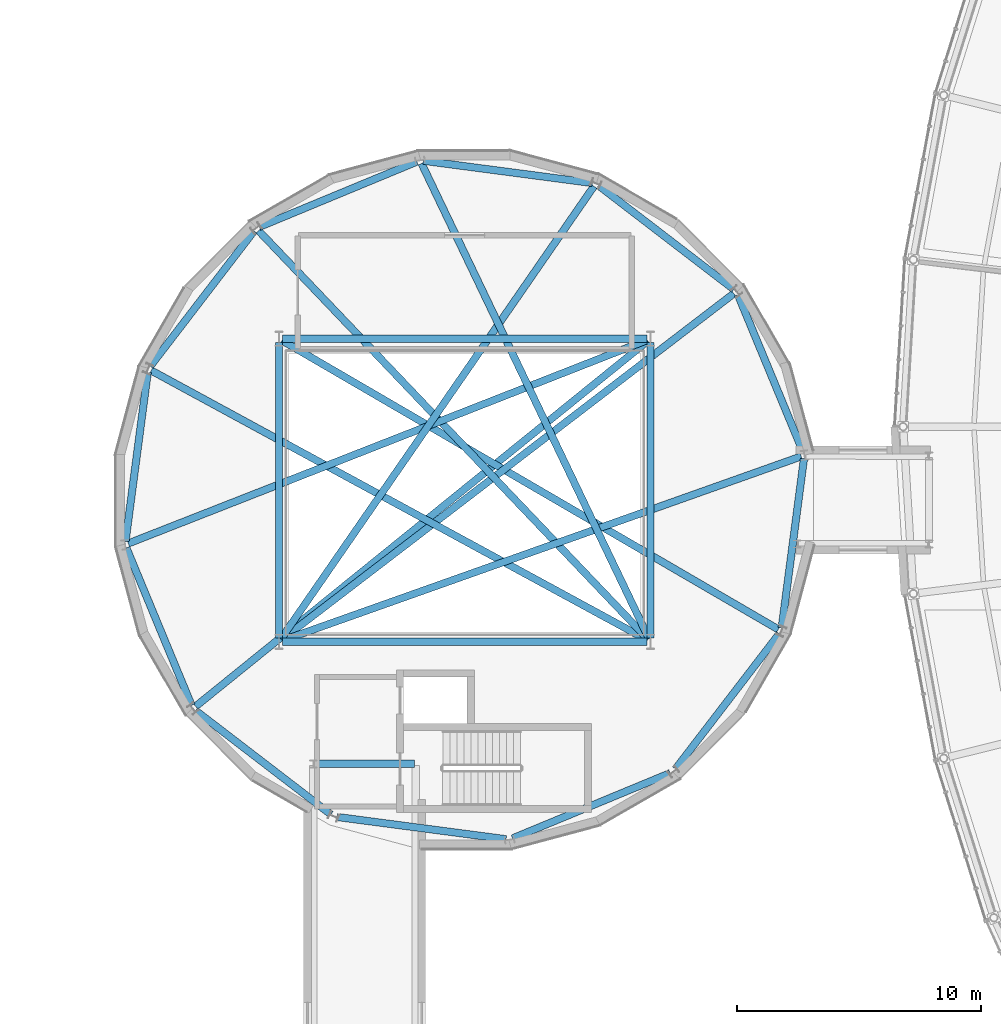
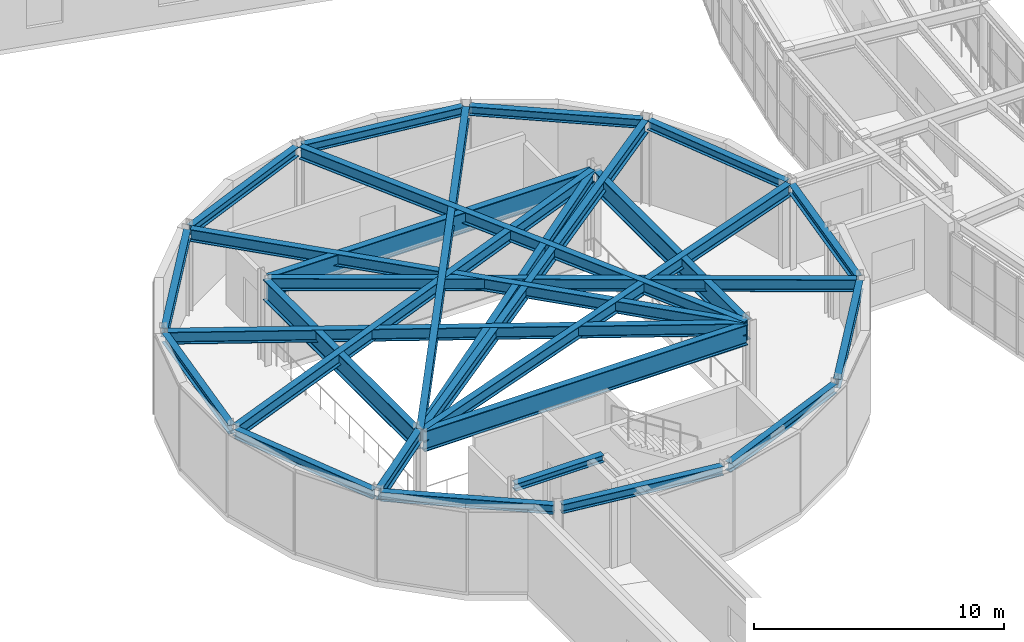
# One storey, part 21 of 103: 26 beams.
"""IFC4 building model written with IfcOpenShell, lengths in metres."""

from ifc_helpers import new_model, si_unit, direction, frame, origin, origin_2d, place, context, subcontext, project, spatial, i_section, extrude, material, material_profile, profile_set, type_object, element, save


model = new_model("IFC4")

# Units and contexts
model_context = context("Model", 3, precision=1e-05, world=origin(), true_north=direction((0.0, 1.0)))
body_context = subcontext(model_context, "Body", "Model", "MODEL_VIEW")
ifc_project = project(units=[si_unit("LENGTHUNIT", "METRE"), si_unit("AREAUNIT", "SQUARE_METRE"), si_unit("VOLUMEUNIT", "CUBIC_METRE"), si_unit("PLANEANGLEUNIT", "RADIAN"), si_unit("MASSUNIT", "GRAM", prefix="KILO")], contexts=[model_context])

# Site, building, storey
site_placement = place(None, origin())
site = spatial("IfcSite", under=ifc_project, at=site_placement, CompositionType="ELEMENT")
building_placement = place(site_placement, origin())
building = spatial("IfcBuilding", under=site, at=building_placement, Name="Varnklinge Art Gallery", CompositionType="ELEMENT")
storey_placement = place(building_placement, frame((0.0, 0.0, 5.10009765625)))
storey = spatial("IfcBuildingStorey", under=building, at=storey_placement, Name="L01", CompositionType="ELEMENT", Elevation=5.10009765625)

# Beams
ifc_material_1 = material(Name="Steel S355", Category="steel")
ifc_material_profile_1 = material_profile(ifc_material_1, i_section(OverallWidth=0.300048828125, OverallDepth=1.0, WebThickness=0.01904296875, FlangeThickness=0.035888671875, FilletRadius=0.030029296875, at=origin_2d()), Name="HEB 1000")
ifc_profile_set_1 = profile_set([ifc_material_profile_1], Name="Steel S355")
beam_type_1 = type_object("IfcBeamType", Name="BM-01", PredefinedType="BEAM", material=ifc_profile_set_1)
beam_1_placement = place(storey_placement, frame((14.35009765625, 46.199951171875, 3.669921875), z_axis=(1.0, 0.0, 0.0), x_axis=(0.0, 1.0, 0.0)))
element("IfcBeam", 1, at=beam_1_placement, inside=storey, type_object=beam_type_1, Name="L01 BM-01 BM-V3-L02-B1", PredefinedType="BEAM", context=body_context, shape_type="SweptSolid", body=[
    extrude(i_section(OverallWidth=0.300048828125, OverallDepth=1.0, WebThickness=0.01904296875, FlangeThickness=0.035888671875, FilletRadius=0.030029296875, at=origin_2d()), origin(), (0.0, 0.0, 1.0), 14.89990234375),
])
beam_2_placement = place(storey_placement, frame((29.39990234375, 46.35009765625, 3.669921875), z_axis=(0.0, 1.0, 0.0), x_axis=(-1.0, 0.0, 0.0)))
element("IfcBeam", 2, at=beam_2_placement, inside=storey, type_object=beam_type_1, Name="L01 BM-01 BM-V3-L02-B2", PredefinedType="BEAM", context=body_context, shape_type="SweptSolid", body=[
    extrude(i_section(OverallWidth=0.300048828125, OverallDepth=1.0, WebThickness=0.01904296875, FlangeThickness=0.035888671875, FilletRadius=0.030029296875, at=origin_2d()), origin(), (0.0, 0.0, 1.0), 12.099853515625),
])
beam_3_placement = place(storey_placement, frame((29.25, 58.60009765625, 3.669921875), z_axis=(-1.0, 0.0, 0.0), x_axis=(0.0, -1.0, 0.0)))
element("IfcBeam", 3, at=beam_3_placement, inside=storey, type_object=beam_type_1, Name="L01 BM-01 BM-V3-L02-B3", PredefinedType="BEAM", context=body_context, shape_type="SweptSolid", body=[
    extrude(i_section(OverallWidth=0.300048828125, OverallDepth=1.0, WebThickness=0.01904296875, FlangeThickness=0.035888671875, FilletRadius=0.030029296875, at=origin_2d()), origin(), (0.0, 0.0, 1.0), 14.89990234375),
])
beam_4_placement = place(storey_placement, frame((14.199951171875, 58.449951171875, 3.669921875), z_axis=(0.0, -1.0, 0.0), x_axis=(1.0, 0.0, 0.0)))
element("IfcBeam", 4, at=beam_4_placement, inside=storey, type_object=beam_type_1, Name="L01 BM-01 BM-V3-L02-B4", PredefinedType="BEAM", context=body_context, shape_type="SweptSolid", body=[
    extrude(i_section(OverallWidth=0.300048828125, OverallDepth=1.0, WebThickness=0.01904296875, FlangeThickness=0.035888671875, FilletRadius=0.030029296875, at=origin_2d()), origin(), (0.0, 0.0, 1.0), 12.099853515625),
])
ifc_material_2 = material(Name="Steel S355", Category="steel")
ifc_material_profile_2 = material_profile(ifc_material_2, i_section(OverallWidth=0.300048828125, OverallDepth=0.590087890625, WebThickness=0.012939453125, FlangeThickness=0.02490234375, FilletRadius=0.027099609375, at=origin_2d()), Name="HEA 600")
ifc_profile_set_2 = profile_set([ifc_material_profile_2], Name="Steel S355")
beam_type_2 = type_object("IfcBeamType", Name="BM-06", PredefinedType="BEAM", material=ifc_profile_set_2)
beam_5_placement = place(storey_placement, frame((14.331787109375, 46.246826171875, 3.875), z_axis=(0.942415078028, 0.334445542211, 0.0), x_axis=(-0.334445542211, 0.942415078028, 0.0)))
element("IfcBeam", 5, at=beam_5_placement, inside=storey, type_object=beam_type_2, Name="L01 BM-06 BM-V3-L02-R01", PredefinedType="BEAM", context=body_context, shape_type="SweptSolid", body=[
    extrude(i_section(OverallWidth=0.300048828125, OverallDepth=0.590087890625, WebThickness=0.012939453125, FlangeThickness=0.02490234375, FilletRadius=0.027099609375, at=origin_2d()), origin(), (0.0, 0.0, 1.0), 22.533935546875),
])
beam_6_placement = place(storey_placement, frame((14.311279296875, 46.28515625, 3.875), z_axis=(0.793999311532, 0.607918656801, 0.0), x_axis=(-0.607918656801, 0.793999311532, 0.0)))
element("IfcBeam", 6, at=beam_6_placement, inside=storey, type_object=beam_type_2, Name="L01 BM-06 BM-V3-L02-R02", PredefinedType="BEAM", context=body_context, shape_type="SweptSolid", body=[
    extrude(i_section(OverallWidth=0.300048828125, OverallDepth=0.590087890625, WebThickness=0.012939453125, FlangeThickness=0.02490234375, FilletRadius=0.027099609375, at=origin_2d()), origin(), (0.0, 0.0, 1.0), 23.300048828125),
])
beam_7_placement = place(storey_placement, frame((14.279541015625, 46.315185546875, 3.875), z_axis=(0.568696833089, 0.822547209608, 0.0), x_axis=(-0.822547209608, 0.568696833089, 0.0)))
element("IfcBeam", 7, at=beam_7_placement, inside=storey, type_object=beam_type_2, Name="L01 BM-06 BM-V3-L02-R03", PredefinedType="BEAM", context=body_context, shape_type="SweptSolid", body=[
    extrude(i_section(OverallWidth=0.300048828125, OverallDepth=0.590087890625, WebThickness=0.012939453125, FlangeThickness=0.02490234375, FilletRadius=0.027099609375, at=origin_2d()), origin(), (0.0, 0.0, 1.0), 22.518310546875),
])
beam_8_placement = place(storey_placement, frame((29.339599609375, 46.326416015625, 3.875), z_axis=(-0.431765596733, 0.901985847715, 0.0), x_axis=(-0.901985847715, -0.431765596733, 0.0)))
element("IfcBeam", 8, at=beam_8_placement, inside=storey, type_object=beam_type_2, Name="L01 BM-06 BM-V3-L02-R04", PredefinedType="BEAM", context=body_context, shape_type="SweptSolid", body=[
    extrude(i_section(OverallWidth=0.300048828125, OverallDepth=0.590087890625, WebThickness=0.012939453125, FlangeThickness=0.02490234375, FilletRadius=0.027099609375, at=origin_2d()), origin(), (0.0, 0.0, 1.0), 21.560546875),
])
beam_9_placement = place(storey_placement, frame((29.303466796875, 46.30126953125, 3.875), z_axis=(-0.690055379945, 0.723756569994, 0.0), x_axis=(-0.723756569994, -0.690055379945, 0.0)))
element("IfcBeam", 9, at=beam_9_placement, inside=storey, type_object=beam_type_2, Name="L01 BM-06 BM-V3-L02-R05", PredefinedType="BEAM", context=body_context, shape_type="SweptSolid", body=[
    extrude(i_section(OverallWidth=0.300048828125, OverallDepth=0.590087890625, WebThickness=0.012939453125, FlangeThickness=0.02490234375, FilletRadius=0.027099609375, at=origin_2d()), origin(), (0.0, 0.0, 1.0), 23.10205078125),
])
beam_10_placement = place(storey_placement, frame((29.277099609375, 46.266845703125, 3.875), z_axis=(-0.878712659492, 0.477351088873, 0.0), x_axis=(-0.477351088873, -0.878712659492, 0.0)))
element("IfcBeam", 10, at=beam_10_placement, inside=storey, type_object=beam_type_2, Name="L01 BM-06 BM-V3-L02-R06", PredefinedType="BEAM", context=body_context, shape_type="SweptSolid", body=[
    extrude(i_section(OverallWidth=0.300048828125, OverallDepth=0.590087890625, WebThickness=0.012939453125, FlangeThickness=0.02490234375, FilletRadius=0.027099609375, at=origin_2d()), origin(), (0.0, 0.0, 1.0), 23.10986328125),
])
beam_11_placement = place(storey_placement, frame((29.269775390625, 58.548828125, 3.875), z_axis=(-0.930996731965, -0.365027512757, 0.0), x_axis=(0.365027512757, -0.930996731965, 0.0)))
element("IfcBeam", 11, at=beam_11_placement, inside=storey, type_object=beam_type_2, Name="L01 BM-06 BM-V3-L02-R07", PredefinedType="BEAM", context=body_context, shape_type="SweptSolid", body=[
    extrude(i_section(OverallWidth=0.300048828125, OverallDepth=0.590087890625, WebThickness=0.012939453125, FlangeThickness=0.02490234375, FilletRadius=0.027099609375, at=origin_2d()), origin(), (0.0, 0.0, 1.0), 22.813720703125),
])
beam_12_placement = place(storey_placement, frame((29.291015625, 58.511962890625, 3.875), z_axis=(-0.777684563624, -0.628654690192, 0.0), x_axis=(0.628654690192, -0.777684563624, 0.0)))
element("IfcBeam", 12, at=beam_12_placement, inside=storey, type_object=beam_type_2, Name="L01 BM-06 BM-V3-L02-R08", PredefinedType="BEAM", context=body_context, shape_type="SweptSolid", body=[
    extrude(i_section(OverallWidth=0.300048828125, OverallDepth=0.590087890625, WebThickness=0.012939453125, FlangeThickness=0.02490234375, FilletRadius=0.027099609375, at=origin_2d()), origin(), (0.0, 0.0, 1.0), 23.794921875),
])
beam_13_placement = place(storey_placement, frame((14.321044921875, 58.529541015625, 3.875), z_axis=(0.864213746904, -0.503124835068, 0.0), x_axis=(0.503124835068, 0.864213746904, 0.0)))
element("IfcBeam", 13, at=beam_13_placement, inside=storey, type_object=beam_type_2, Name="L01 BM-06 BM-V3-L02-R12", PredefinedType="BEAM", context=body_context, shape_type="SweptSolid", body=[
    extrude(i_section(OverallWidth=0.300048828125, OverallDepth=0.590087890625, WebThickness=0.012939453125, FlangeThickness=0.02490234375, FilletRadius=0.027099609375, at=origin_2d()), origin(), (0.0, 0.0, 1.0), 23.501953125),
])
ifc_material_3 = material(Name="Steel S355", Category="steel")
ifc_material_profile_3 = material_profile(ifc_material_3, i_section(OverallWidth=0.300048828125, OverallDepth=0.35009765625, WebThickness=0.010009765625, FlangeThickness=0.017578125, FilletRadius=0.027099609375, at=origin_2d()), Name="HEA 360")
ifc_profile_set_3 = profile_set([ifc_material_profile_3], Name="Steel S355")
beam_type_3 = type_object("IfcBeamType", Name="BM-10", PredefinedType="BEAM", material=ifc_profile_set_3)
beam_14_placement = place(storey_placement, frame((19.739990234375, 41.199951171875, 3.994873046875), z_axis=(-1.0, 0.0, 0.0), x_axis=(0.0, -1.0, 0.0)))
element("IfcBeam", 14, at=beam_14_placement, inside=storey, type_object=beam_type_3, Name="L01 BM-10 BM-LNK-SW-ROOF-3", PredefinedType="BEAM", context=body_context, shape_type="SweptSolid", body=[
    extrude(i_section(OverallWidth=0.300048828125, OverallDepth=0.35009765625, WebThickness=0.010009765625, FlangeThickness=0.017578125, FilletRadius=0.027099609375, at=origin_2d()), origin(), (0.0, 0.0, 1.0), 4.080078125),
])
ifc_material_4 = material(Name="Steel S355", Category="steel")
ifc_material_profile_4 = material_profile(ifc_material_4, i_section(OverallWidth=0.300048828125, OverallDepth=0.43994140625, WebThickness=0.011474609375, FlangeThickness=0.02099609375, FilletRadius=0.027099609375, at=origin_2d()), Name="HEA 450")
ifc_profile_set_4 = profile_set([ifc_material_profile_4], Name="Steel S355")
beam_type_4 = type_object("IfcBeamType", Name="SPB-02", PredefinedType="SPANDREL", material=ifc_profile_set_4)
beam_15_placement = place(storey_placement, frame((35.646484375, 53.959228515625, 3.949951171875), z_axis=(-0.382686571243, 0.923878232339, 0.0), x_axis=(-0.923878232339, -0.382686571243, 0.0)))
element("IfcBeam", 15, at=beam_15_placement, inside=storey, type_object=beam_type_4, Name="L01 SPB-02 BM-V3-L02-P01", PredefinedType="SPANDREL", context=body_context, shape_type="SweptSolid", body=[
    extrude(i_section(OverallWidth=0.300048828125, OverallDepth=0.43994140625, WebThickness=0.011474609375, FlangeThickness=0.02099609375, FilletRadius=0.027099609375, at=origin_2d()), origin(), (0.0, 0.0, 1.0), 6.9775390625),
])
beam_16_placement = place(storey_placement, frame((32.811767578125, 60.6201171875, 3.949951171875), z_axis=(-0.793346661628, 0.608770132713, 0.0), x_axis=(-0.608770132713, -0.793346661628, 0.0)))
element("IfcBeam", 16, at=beam_16_placement, inside=storey, type_object=beam_type_4, Name="L01 SPB-02 BM-V3-L02-P02", PredefinedType="SPANDREL", context=body_context, shape_type="SweptSolid", body=[
    extrude(i_section(OverallWidth=0.300048828125, OverallDepth=0.43994140625, WebThickness=0.011474609375, FlangeThickness=0.02099609375, FilletRadius=0.027099609375, at=origin_2d()), origin(), (0.0, 0.0, 1.0), 6.977294921875),
])
beam_17_placement = place(storey_placement, frame((27.0263671875, 64.97119140625, 3.949951171875), z_axis=(-0.991445956564, 0.130517873155, 0.0), x_axis=(-0.130517873155, -0.991445956564, 0.0)))
element("IfcBeam", 17, at=beam_17_placement, inside=storey, type_object=beam_type_4, Name="L01 SPB-02 BM-V3-L02-P03", PredefinedType="SPANDREL", context=body_context, shape_type="SweptSolid", body=[
    extrude(i_section(OverallWidth=0.300048828125, OverallDepth=0.43994140625, WebThickness=0.011474609375, FlangeThickness=0.02099609375, FilletRadius=0.027099609375, at=origin_2d()), origin(), (0.0, 0.0, 1.0), 6.97705078125),
])
for number, where, z_axis, x_axis, name in (
    (18, (19.8408203125, 65.846435546875, 3.949951171875), (-0.92389060297, -0.38265670482, 0.0), (0.38265670482, -0.92389060297, 0.0), "L01 SPB-02 BM-V3-L02-P04"),
    (19, (13.179931640625, 63.01171875, 3.949951171875), (-0.608770132713, -0.793346661628, 0.0), (0.793346661628, -0.608770132713, 0.0), "L01 SPB-02 BM-V3-L02-P05"),
):
    element("IfcBeam", number, at=place(storey_placement, frame(where, z_axis=z_axis, x_axis=x_axis)), inside=storey, type_object=beam_type_4, Name=name, PredefinedType="SPANDREL", context=body_context, shape_type="SweptSolid", body=[
        extrude(i_section(OverallWidth=0.300048828125, OverallDepth=0.43994140625, WebThickness=0.011474609375, FlangeThickness=0.02099609375, FilletRadius=0.027099609375, at=origin_2d()), origin(), (0.0, 0.0, 1.0), 6.977294921875),
    ])
beam_18_placement = place(storey_placement, frame((8.828857421875, 57.226318359375, 3.949951171875), z_axis=(-0.130517873155, -0.991445956564, 0.0), x_axis=(0.991445956564, -0.130517873155, 0.0)))
element("IfcBeam", 20, at=beam_18_placement, inside=storey, type_object=beam_type_4, Name="L01 SPB-02 BM-V3-L02-P06", PredefinedType="SPANDREL", context=body_context, shape_type="SweptSolid", body=[
    extrude(i_section(OverallWidth=0.300048828125, OverallDepth=0.43994140625, WebThickness=0.011474609375, FlangeThickness=0.02099609375, FilletRadius=0.027099609375, at=origin_2d()), origin(), (0.0, 0.0, 1.0), 6.97705078125),
])
for number, where, z_axis, x_axis, name in (
    (21, (7.95361328125, 50.040771484375, 3.949951171875), (0.38265670482, -0.92389060297, 0.0), (0.92389060297, 0.38265670482, 0.0), "L01 SPB-02 BM-V3-L02-P07"),
    (22, (10.788330078125, 43.3798828125, 3.949951171875), (0.793346661628, -0.608770132713, 0.0), (0.608770132713, 0.793346661628, 0.0), "L01 SPB-02 BM-V3-L02-P08"),
    (23, (16.573486328125, 39.02880859375, 3.949951171875), (0.991446552608, -0.130513345376, 0.0), (0.130513345376, 0.991446552608, 0.0), "L01 SPB-02 BM-V3-L02-P09"),
    (24, (23.75927734375, 38.153564453125, 3.949951171875), (0.92389060297, 0.38265670482, 0.0), (-0.38265670482, 0.92389060297, 0.0), "L01 SPB-02 BM-V3-L02-P10"),
    (25, (30.419921875, 40.98828125, 3.949951171875), (0.608770132713, 0.793346661628, 0.0), (-0.793346661628, 0.608770132713, 0.0), "L01 SPB-02 BM-V3-L02-P11"),
    (26, (34.77099609375, 46.773681640625, 3.949951171875), (0.130552268231, 0.991441428053, 0.0), (-0.991441428053, 0.130552268231, 0.0), "L01 SPB-02 BM-V3-L02-P12"),
):
    element("IfcBeam", number, at=place(storey_placement, frame(where, z_axis=z_axis, x_axis=x_axis)), inside=storey, type_object=beam_type_4, Name=name, PredefinedType="SPANDREL", context=body_context, shape_type="SweptSolid", body=[
        extrude(i_section(OverallWidth=0.300048828125, OverallDepth=0.43994140625, WebThickness=0.011474609375, FlangeThickness=0.02099609375, FilletRadius=0.027099609375, at=origin_2d()), origin(), (0.0, 0.0, 1.0), 6.977294921875),
    ])

save(model, "model.ifc")
